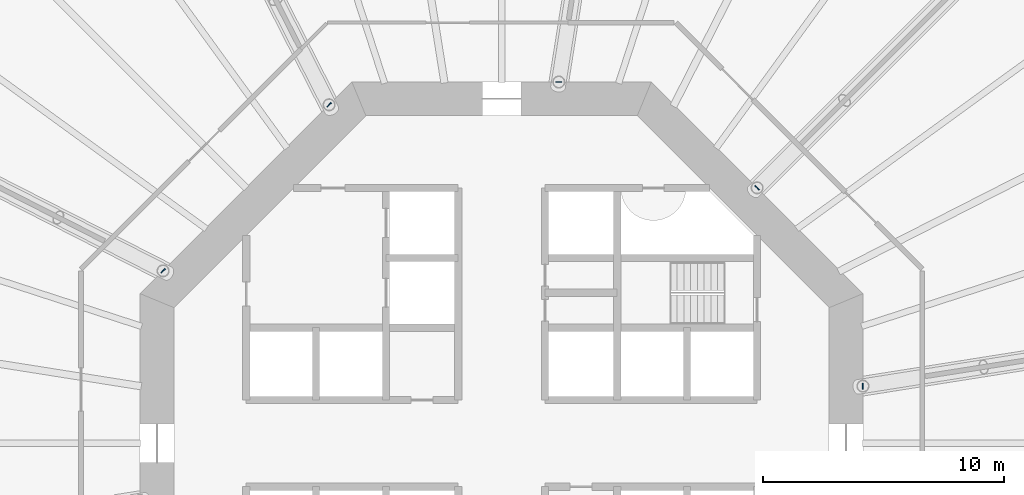
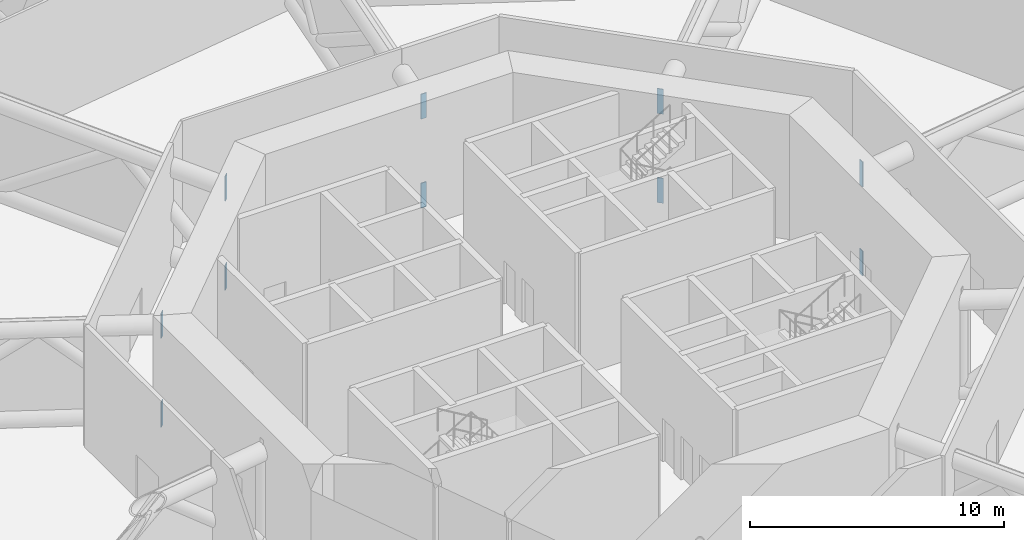
# One storey, part 12 of 14: 10 discrete accessories.
"""IFC4 building model written with IfcOpenShell, lengths in metres."""

from ifc_helpers import new_model, si_unit, direction, frame, origin, origin_2d, place, context, subcontext, project, spatial, rectangle, extrude, material, element, save


model = new_model("IFC4")

# Units and contexts
model_context = context("Model", 3, precision=1e-05, world=origin(), true_north=direction((0.0, 1.0)))
body_context = subcontext(model_context, "Body", "Model", "MODEL_VIEW")
ifc_project = project(units=[si_unit("LENGTHUNIT", "METRE"), si_unit("AREAUNIT", "SQUARE_METRE"), si_unit("VOLUMEUNIT", "CUBIC_METRE"), si_unit("PLANEANGLEUNIT", "RADIAN"), si_unit("MASSUNIT", "GRAM", prefix="KILO")], contexts=[model_context])

# Site, building, storey
site_placement = place(None, origin())
site = spatial("IfcSite", under=ifc_project, at=site_placement, CompositionType="ELEMENT")
building_placement = place(site_placement, origin())
building = spatial("IfcBuilding", under=site, at=building_placement, Name="Entoto Ring Tower", CompositionType="ELEMENT")
storey_placement = place(building_placement, frame((0.0, 0.0, 74.0)))
storey = spatial("IfcBuildingStorey", under=building, at=storey_placement, Name="L16", CompositionType="ELEMENT", Elevation=74.0)

# Discrete accessories
ifc_material = material(Name="Steel S355", Category="steel")
for number, where, z_axis, x_axis, name in (
    (1, (105.0, 82.375732421875, -0.193359375), (0.0, 0.0, 1.0), (1.0, 0.0, 0.0), "Embedded plate L16 bottom 01"),
    (2, (105.0, 82.375732421875, 4.09033203125), (0.0, 0.0, 1.0), (1.0, 0.0, 0.0), "Embedded plate L16 top 01"),
    (3, (100.606689453125, 90.606689453125, -0.193359375), (0.0, 0.0, 1.0), (0.707106781187, 0.707106781187, 0.0), "Embedded plate L16 bottom 02"),
    (4, (100.606689453125, 90.606689453125, 4.09033203125), (0.0, 0.0, 1.0), (0.707106781187, 0.707106781187, 0.0), "Embedded plate L16 top 02"),
    (5, (92.375732421875, 95.0, -0.193359375), (0.0, 0.0, 1.0), (0.0, 1.0, 0.0), "Embedded plate L16 bottom 03"),
    (6, (92.375732421875, 95.0, 4.09033203125), (0.0, 0.0, 1.0), (0.0, 1.0, 0.0), "Embedded plate L16 top 03"),
    (7, (82.839599609375, 94.052978515625, -0.193359375), (0.0, 0.0, 1.0), (-0.707106781187, 0.707106781187, 0.0), "Embedded plate L16 bottom 04"),
    (8, (82.839599609375, 94.052978515625, 4.09033203125), (0.0, 0.0, 1.0), (-0.707106781187, 0.707106781187, 0.0), "Embedded plate L16 top 04"),
    (9, (75.947021484375, 87.160400390625, -0.193359375), (0.0, 0.0, 1.0), (-0.707106781187, 0.707106781187, 0.0), "Embedded plate L16 bottom 05"),
    (10, (75.947021484375, 87.160400390625, 4.09033203125), (0.0, 0.0, 1.0), (-0.707106781187, 0.707106781187, 0.0), "Embedded plate L16 top 05"),
):
    element("IfcDiscreteAccessory", number, at=place(storey_placement, frame(where, z_axis=z_axis, x_axis=x_axis)), inside=storey, material=ifc_material, Name=name, PredefinedType="ANCHORPLATE", context=body_context, shape_type="SweptSolid", body=[
        extrude(rectangle(XDim=0.0400390625, YDim=0.25, at=origin_2d()), origin(), (0.0, 0.0, 1.0), 1.199951171875),
    ])

save(model, "model.ifc")
